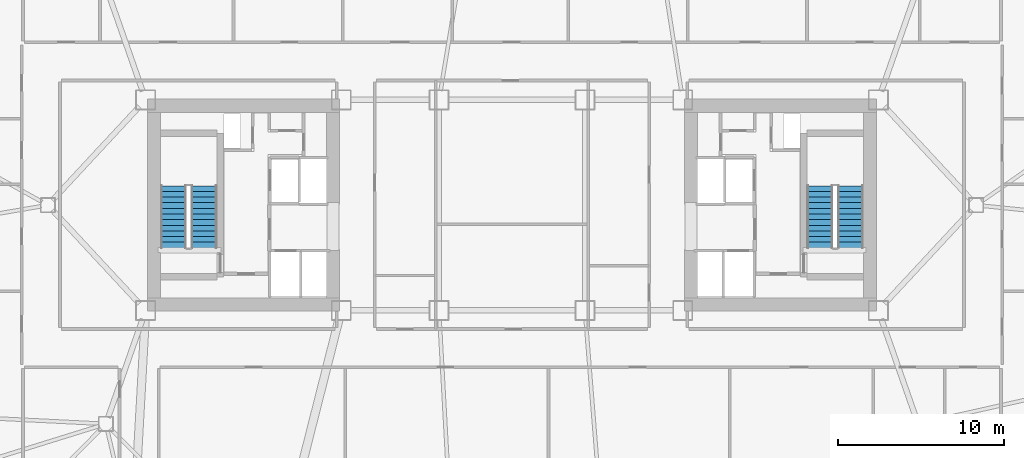
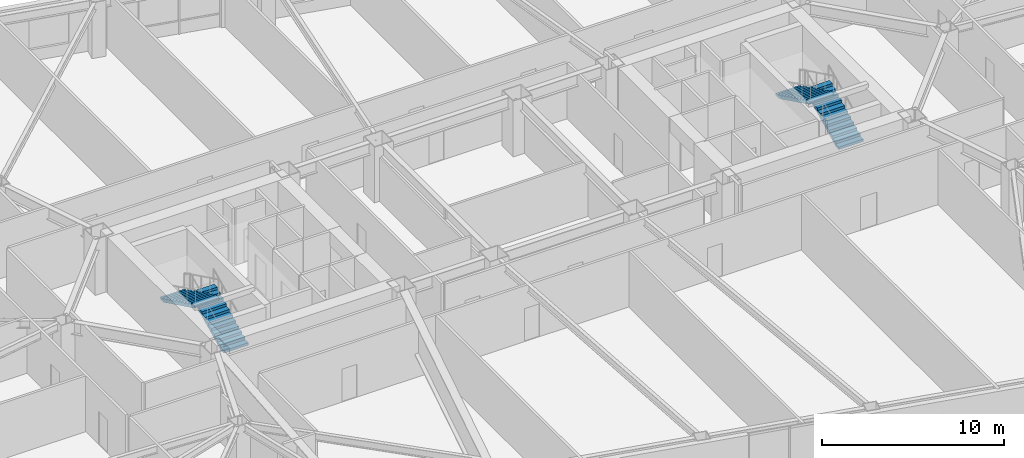
# One storey, part 13 of 18: 4 stair flights, 2 elements without a shape of their own.
"""IFC4 building model written with IfcOpenShell, lengths in metres."""

from ifc_helpers import new_model, si_unit, direction, frame, origin, place, context, subcontext, project, spatial, polyline, outline, extrude, material, type_object, element, aggregate, save


model = new_model("IFC4")

# Units and contexts
model_context = context("Model", 3, precision=1e-05, world=origin(), true_north=direction((0.0, 1.0)))
body_context = subcontext(model_context, "Body", "Model", "MODEL_VIEW")
ifc_project = project(units=[si_unit("LENGTHUNIT", "METRE"), si_unit("AREAUNIT", "SQUARE_METRE"), si_unit("VOLUMEUNIT", "CUBIC_METRE"), si_unit("PLANEANGLEUNIT", "RADIAN"), si_unit("MASSUNIT", "GRAM", prefix="KILO")], contexts=[model_context])

# Site, building, storey
site_placement = place(None, origin())
site = spatial("IfcSite", under=ifc_project, at=site_placement, CompositionType="ELEMENT")
building_placement = place(site_placement, origin())
building = spatial("IfcBuilding", under=site, at=building_placement, Name="Tavrogorsk Clinical Tower", CompositionType="ELEMENT")
storey_placement = place(building_placement, frame((0.0, 0.0, 47.39990234375)))
storey = spatial("IfcBuildingStorey", under=building, at=storey_placement, Name="L09", CompositionType="ELEMENT", Elevation=47.39990234375)

# Stair, stair flights
ifc_material_1 = material(Name="Concrete B60", Category="concrete")
stair_type = type_object("IfcStairType", Name="CoreStairAssembly", PredefinedType="HALF_TURN_STAIR", material=ifc_material_1)
stair_1_placement = place(storey_placement, origin())
stair_1 = element("IfcStair", 1, at=stair_1_placement, inside=storey, type_object=stair_type, Name="L09 ST-W", PredefinedType="HALF_TURN_STAIR")
ifc_material_2 = material(Name="Concrete B60", Category="concrete")
stair_flight_type = type_object("IfcStairFlightType", Name="CoreStairFlight", PredefinedType="STRAIGHT", material=ifc_material_2)
stair_flight_1_placement = place(storey_placement, frame((-18.574951171875, -2.574951171875, 0.0), z_axis=(0.0, 0.0, 1.0), x_axis=(0.0, 1.0, 0.0)))
stair_flight_1 = element("IfcStairFlight", 2, at=stair_flight_1_placement, type_object=stair_flight_type, Name="ST-W flight 1", NumberOfRisers=12, NumberOfTreads=11, PredefinedType="STRAIGHT", RiserHeight=0.166666667, TreadLength=0.34, context=body_context, shape_type="SweptSolid", body=[
    extrude(outline(polyline([(0.0, 0.0), (0.0, 0.166748046875), (0.340087890625, 0.166748046875), (0.340087890625, 0.333251953125), (0.679931640625, 0.333251953125), (0.679931640625, 0.5), (1.02001953125, 0.5), (1.02001953125, 0.666748046875), (1.360107421875, 0.666748046875), (1.360107421875, 0.833251953125), (1.699951171875, 0.833251953125), (1.699951171875, 1.0), (2.0400390625, 1.0), (2.0400390625, 1.166748046875), (2.3798828125, 1.166748046875), (2.3798828125, 1.333251953125), (2.719970703125, 1.333251953125), (2.719970703125, 1.5), (3.06005859375, 1.5), (3.06005859375, 1.666748046875), (3.39990234375, 1.666748046875), (3.39990234375, 1.833251953125), (3.739990234375, 1.833251953125), (3.739990234375, 2.0), (3.739990234375, 1.66650390625), (0.340576171875, 0.0), (0.0, 0.0)])), frame((0.0, 0.77490234375, 0.0), z_axis=(0.0, -1.0, 0.0), x_axis=(1.0, 0.0, 0.0)), (0.0, 0.0, 1.0), 1.550048828125),
])
stair_flight_2_placement = place(storey_placement, frame((-20.425048828125, 1.1650390625, 2.0), z_axis=(0.0, 0.0, 1.0), x_axis=(0.0, -1.0, 0.0)))
stair_flight_2 = element("IfcStairFlight", 3, at=stair_flight_2_placement, type_object=stair_flight_type, Name="ST-W flight 2", NumberOfRisers=12, NumberOfTreads=11, PredefinedType="STRAIGHT", RiserHeight=0.166666667, TreadLength=0.34, context=body_context, shape_type="SweptSolid", body=[
    extrude(outline(polyline([(0.0, 0.0), (0.0, 0.166748046875), (0.340087890625, 0.166748046875), (0.340087890625, 0.333251953125), (0.679931640625, 0.333251953125), (0.679931640625, 0.5), (1.02001953125, 0.5), (1.02001953125, 0.666748046875), (1.360107421875, 0.666748046875), (1.360107421875, 0.833251953125), (1.699951171875, 0.833251953125), (1.699951171875, 1.0), (2.0400390625, 1.0), (2.0400390625, 1.166748046875), (2.3798828125, 1.166748046875), (2.3798828125, 1.333251953125), (2.719970703125, 1.333251953125), (2.719970703125, 1.5), (3.06005859375, 1.5), (3.06005859375, 1.666748046875), (3.39990234375, 1.666748046875), (3.39990234375, 1.833251953125), (3.739990234375, 1.833251953125), (3.739990234375, 2.0), (3.739990234375, 1.66650390625), (0.340576171875, 0.0), (0.0, 0.0)])), frame((0.0, 0.77490234375, 0.0), z_axis=(0.0, -1.0, 0.0), x_axis=(1.0, 0.0, 0.0)), (0.0, 0.0, 1.0), 1.550048828125),
])
aggregate(stair_1, [stair_flight_1, stair_flight_2])

stair_2_placement = place(storey_placement, origin())
stair_2 = element("IfcStair", 4, at=stair_2_placement, inside=storey, type_object=stair_type, Name="L09 ST-E", PredefinedType="HALF_TURN_STAIR")
stair_flight_3_placement = place(storey_placement, frame((20.425048828125, -2.574951171875, 0.0), z_axis=(0.0, 0.0, 1.0), x_axis=(0.0, 1.0, 0.0)))
stair_flight_3 = element("IfcStairFlight", 5, at=stair_flight_3_placement, type_object=stair_flight_type, Name="ST-E flight 1", NumberOfRisers=12, NumberOfTreads=11, PredefinedType="STRAIGHT", RiserHeight=0.166666667, TreadLength=0.34, context=body_context, shape_type="SweptSolid", body=[
    extrude(outline(polyline([(0.0, 0.0), (0.0, 0.166748046875), (0.340087890625, 0.166748046875), (0.340087890625, 0.333251953125), (0.679931640625, 0.333251953125), (0.679931640625, 0.5), (1.02001953125, 0.5), (1.02001953125, 0.666748046875), (1.360107421875, 0.666748046875), (1.360107421875, 0.833251953125), (1.699951171875, 0.833251953125), (1.699951171875, 1.0), (2.0400390625, 1.0), (2.0400390625, 1.166748046875), (2.3798828125, 1.166748046875), (2.3798828125, 1.333251953125), (2.719970703125, 1.333251953125), (2.719970703125, 1.5), (3.06005859375, 1.5), (3.06005859375, 1.666748046875), (3.39990234375, 1.666748046875), (3.39990234375, 1.833251953125), (3.739990234375, 1.833251953125), (3.739990234375, 2.0), (3.739990234375, 1.66650390625), (0.340576171875, 0.0), (0.0, 0.0)])), frame((0.0, 0.77490234375, 0.0), z_axis=(0.0, -1.0, 0.0), x_axis=(1.0, 0.0, 0.0)), (0.0, 0.0, 1.0), 1.550048828125),
])
stair_flight_4_placement = place(storey_placement, frame((18.574951171875, 1.1650390625, 2.0), z_axis=(0.0, 0.0, 1.0), x_axis=(0.0, -1.0, 0.0)))
stair_flight_4 = element("IfcStairFlight", 6, at=stair_flight_4_placement, type_object=stair_flight_type, Name="ST-E flight 2", NumberOfRisers=12, NumberOfTreads=11, PredefinedType="STRAIGHT", RiserHeight=0.166666667, TreadLength=0.34, context=body_context, shape_type="SweptSolid", body=[
    extrude(outline(polyline([(0.0, 0.0), (0.0, 0.166748046875), (0.340087890625, 0.166748046875), (0.340087890625, 0.333251953125), (0.679931640625, 0.333251953125), (0.679931640625, 0.5), (1.02001953125, 0.5), (1.02001953125, 0.666748046875), (1.360107421875, 0.666748046875), (1.360107421875, 0.833251953125), (1.699951171875, 0.833251953125), (1.699951171875, 1.0), (2.0400390625, 1.0), (2.0400390625, 1.166748046875), (2.3798828125, 1.166748046875), (2.3798828125, 1.333251953125), (2.719970703125, 1.333251953125), (2.719970703125, 1.5), (3.06005859375, 1.5), (3.06005859375, 1.666748046875), (3.39990234375, 1.666748046875), (3.39990234375, 1.833251953125), (3.739990234375, 1.833251953125), (3.739990234375, 2.0), (3.739990234375, 1.66650390625), (0.340576171875, 0.0), (0.0, 0.0)])), frame((0.0, 0.77490234375, 0.0), z_axis=(0.0, -1.0, 0.0), x_axis=(1.0, 0.0, 0.0)), (0.0, 0.0, 1.0), 1.550048828125),
])
aggregate(stair_2, [stair_flight_3, stair_flight_4])

save(model, "model.ifc")
